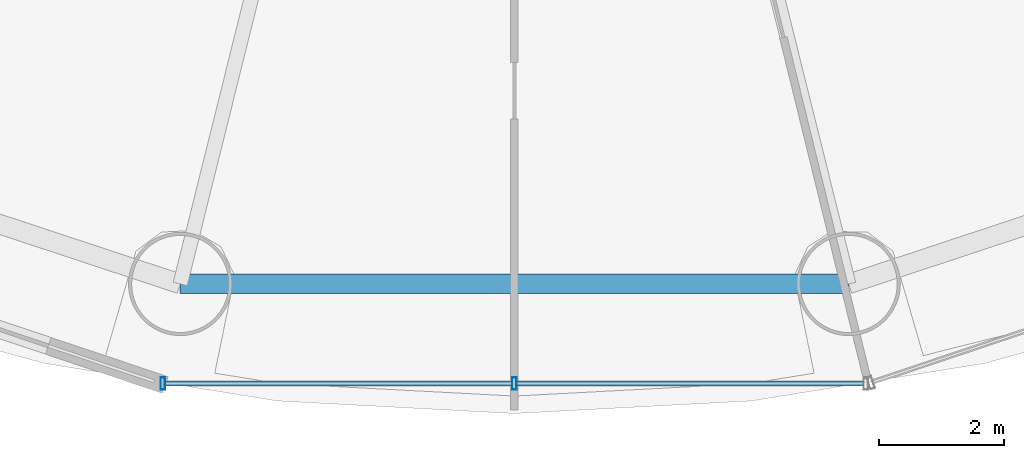
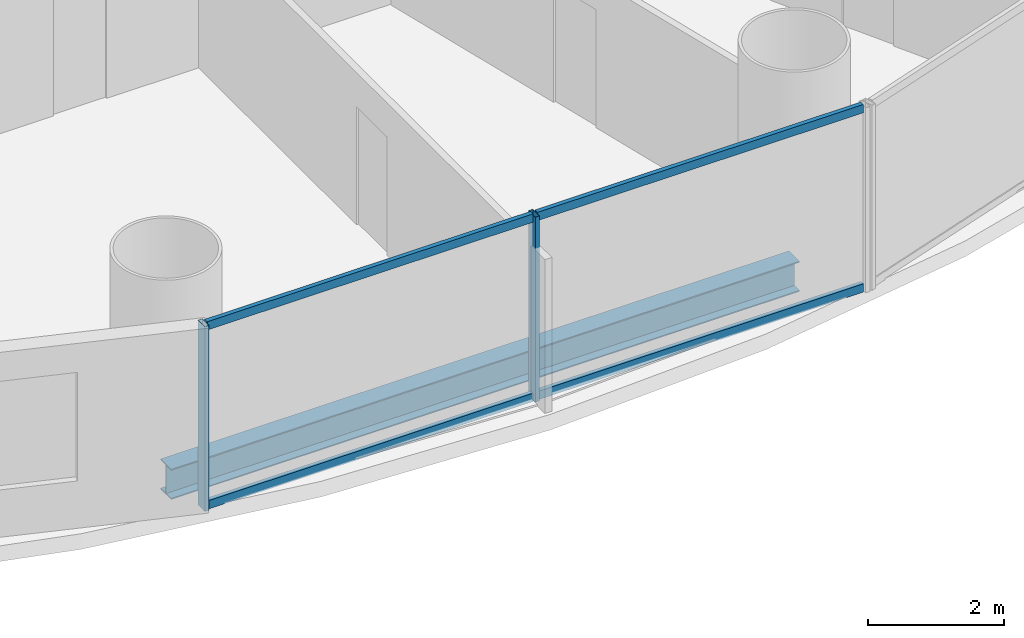
# One storey, part 4 of 29: 6 members, 1 beam, 1 element without a shape of its own.
"""IFC4 building model written with IfcOpenShell, lengths in metres."""

import ifcopenshell
import ifcopenshell.guid

model = None  # the IFC model being written
_history = None  # IfcOwnerHistory: only IFC2X3 demands one
_inside = {}  # id of a spatial element -> (the spatial element, [elements in it])
_under = {}  # id of a project, library or spatial element -> (it, [spatial elements below it])
_declared = {}  # id of a project -> (the project, [libraries it declares])
_typed = {}  # id of a type object -> (the type object, [elements of that type])
_made_of = {}  # id of a material, layer set ... -> (it, [elements and type objects made of it])


def new_model(schema):
    """Start an empty IFC model of exactly this schema.

    Asked for "IFC4X3", IfcOpenShell would pick the latest addendum, in which some entities
    have other attributes; the version numbers below select the first issue.
    IFC2X3 requires an IfcOwnerHistory on every rooted entity: one is made here for all.
    """
    global model, _history
    if schema == "IFC4X3":
        model = ifcopenshell.file(schema_version=(4, 3, 0, 0))
    else:
        model = ifcopenshell.file(schema=schema)
    _inside.clear()
    _under.clear()
    _declared.clear()
    _typed.clear()
    _made_of.clear()
    _history = None
    if model.schema == "IFC2X3":
        org = make("IfcOrganization", Name="unknown")
        user = make(
            "IfcPersonAndOrganization",
            ThePerson=make("IfcPerson", FamilyName="unknown"),
            TheOrganization=org,
        )
        app = make(
            "IfcApplication",
            ApplicationDeveloper=org,
            Version="unknown",
            ApplicationFullName="unknown",
            ApplicationIdentifier="unknown",
        )
        _history = make(
            "IfcOwnerHistory",
            OwningUser=user,
            OwningApplication=app,
            ChangeAction="ADDED",
            CreationDate=0,
        )
    return model


def make(cls, **values):
    """One entity of the class cls with the attributes given. An attribute that is None is left unset."""
    return model.create_entity(
        cls, **{name: value for name, value in values.items() if value is not None}
    )


def rooted(cls, **values):
    """An entity with a GlobalId (a new one), such as an element, a storey or a relation."""
    return make(cls, GlobalId=ifcopenshell.guid.new(), OwnerHistory=_history, **values)


def si_unit(unit_type, name, prefix=None):
    """IfcSIUnit, for example si_unit("LENGTHUNIT", "METRE", prefix="MILLI")."""
    return make("IfcSIUnit", UnitType=unit_type, Prefix=prefix, Name=name)


def assignment(units):
    """IfcUnitAssignment: the units of a project."""
    return None if units is None else make("IfcUnitAssignment", Units=units)


def point(xyz):
    """IfcCartesianPoint."""
    return None if xyz is None else make("IfcCartesianPoint", Coordinates=xyz)


def direction(xyz):
    """IfcDirection."""
    return None if xyz is None else make("IfcDirection", DirectionRatios=xyz)


def frame(location, z_axis=None, x_axis=None):
    """IfcAxis2Placement3D, a coordinate frame: its origin and axes. An axis left out is left unset."""
    return make(
        "IfcAxis2Placement3D",
        Location=point(location),
        Axis=direction(z_axis),
        RefDirection=direction(x_axis),
    )


def frame_2d(location, x_axis=None):
    """IfcAxis2Placement2D, a coordinate frame in the plane: its origin and x axis."""
    return make(
        "IfcAxis2Placement2D", Location=point(location), RefDirection=direction(x_axis)
    )


def origin():
    """The frame at (0, 0, 0) with its axes left unset."""
    return frame((0.0, 0.0, 0.0))


def origin_2d():
    """The frame at (0, 0) in the plane with its x axis left unset."""
    return frame_2d((0.0, 0.0))


def place(relative_to, where):
    """IfcLocalPlacement: puts the frame where relative to a parent placement (None: the world)."""
    return make(
        "IfcLocalPlacement", PlacementRelTo=relative_to, RelativePlacement=where
    )


def context(
    kind, dimensions, precision=None, world=None, true_north=None, identifier=None
):
    """IfcGeometricRepresentationContext, for example the 3D "Model" context."""
    return make(
        "IfcGeometricRepresentationContext",
        ContextIdentifier=identifier,
        ContextType=kind,
        CoordinateSpaceDimension=dimensions,
        Precision=precision,
        WorldCoordinateSystem=world,
        TrueNorth=true_north,
    )


def subcontext(parent, identifier, kind, view, scale=None):
    """IfcGeometricRepresentationSubContext, for example "Body" below "Model"."""
    return make(
        "IfcGeometricRepresentationSubContext",
        ContextIdentifier=identifier,
        ContextType=kind,
        ParentContext=parent,
        TargetScale=scale,
        TargetView=view,
    )


def project(units=None, contexts=None):
    """IfcProject with its units and contexts."""
    return rooted(
        "IfcProject",
        Name="project",
        RepresentationContexts=contexts,
        UnitsInContext=assignment(units),
    )


def spatial(cls, under=None, at=None, **own):
    """A site, building, storey or space (cls), placed at a placement, below another one or the project."""
    s = rooted(cls, ObjectPlacement=at, **own)
    if under is not None:
        _under.setdefault(under.id(), (under, []))[1].append(s)
    return s


def profile(cls, at=None, kind="AREA", **sizes):
    """A parametric profile (cls). Its sizes go by their IFC names, for example OverallWidth=200.0."""
    return make(cls, ProfileType=kind, Position=at, **sizes)


def hollow_rectangle(**sizes):
    """IfcRectangleHollowProfileDef."""
    return profile("IfcRectangleHollowProfileDef", **sizes)


def i_section(**sizes):
    """IfcIShapeProfileDef."""
    return profile("IfcIShapeProfileDef", **sizes)


def extrude(swept, where, along, depth):
    """IfcExtrudedAreaSolid: the profile swept, set in the frame where, extruded along a direction by depth."""
    return make(
        "IfcExtrudedAreaSolid",
        SweptArea=swept,
        Position=where,
        ExtrudedDirection=direction(along),
        Depth=depth,
    )


def shape(context_of_items, identifier, shape_type, items):
    """IfcShapeRepresentation: the items that make up one representation, for example the "Body"."""
    return make(
        "IfcShapeRepresentation",
        ContextOfItems=context_of_items,
        RepresentationIdentifier=identifier,
        RepresentationType=shape_type,
        Items=items,
    )


def source(mapping_origin, context_of_items, identifier, shape_type, items):
    """IfcRepresentationMap: a shape defined once, which mapped items show again and again."""
    return make(
        "IfcRepresentationMap",
        MappingOrigin=mapping_origin,
        MappedRepresentation=shape(context_of_items, identifier, shape_type, items),
    )


def transform(
    local_origin,
    x_axis=None,
    y_axis=None,
    z_axis=None,
    scale=None,
    scale2=None,
    scale3=None,
    uniform=True,
):
    """IfcCartesianTransformationOperator3D, or its non-uniform kind. x_axis, y_axis, z_axis: its Axis1, 2, 3."""
    if uniform:
        return make(
            "IfcCartesianTransformationOperator3D",
            Axis1=direction(x_axis),
            Axis2=direction(y_axis),
            LocalOrigin=point(local_origin),
            Scale=scale,
            Axis3=direction(z_axis),
        )
    return make(
        "IfcCartesianTransformationOperator3DnonUniform",
        Axis1=direction(x_axis),
        Axis2=direction(y_axis),
        LocalOrigin=point(local_origin),
        Scale=scale,
        Axis3=direction(z_axis),
        Scale2=scale2,
        Scale3=scale3,
    )


def mapped(mapping_source, mapping_target):
    """IfcMappedItem: shows the shape of a source again, moved by a transform."""
    return make(
        "IfcMappedItem", MappingSource=mapping_source, MappingTarget=mapping_target
    )


def material(Name=None, Category=None):
    """IfcMaterial."""
    return make("IfcMaterial", Name=Name, Category=Category)


def material_profile(
    of_material, cross_section, Name=None, Category=None, Priority=None
):
    """IfcMaterialProfile: a cross section and its material."""
    return make(
        "IfcMaterialProfile",
        Name=Name,
        Material=of_material,
        Profile=cross_section,
        Priority=Priority,
        Category=Category,
    )


def profile_set(profiles, Name=None, composite=None):
    """IfcMaterialProfileSet."""
    return make(
        "IfcMaterialProfileSet",
        Name=Name,
        MaterialProfiles=profiles,
        CompositeProfile=composite,
    )


def made_of(thing, what):
    """Note that an element or type object is made of a material, layer set ...; save() writes the relation."""
    if what is not None:
        _made_of.setdefault(what.id(), (what, []))[1].append(thing)
    return thing


def type_object(cls, material=None, **own):
    """A type object (cls), such as IfcWallType, which elements share."""
    return made_of(rooted(cls, **own), material)


def element(
    cls,
    number,
    at=None,
    inside=None,
    cuts=None,
    type_object=None,
    material=None,
    context=None,
    identifier="Body",
    shape_type=None,
    held_by="IfcProductDefinitionShape",
    body=None,
    shapes=None,
    **own,
):
    """One element of the class cls, such as IfcWall. Its Tag is "e" and its number.

    at: its placement. inside: the storey or other place that contains it. cuts: it is an
    opening in that element (IfcRelVoidsElement). A single representation is given by context,
    identifier, shape_type and body (its items); several are given by shapes. held_by: the class
    of the entity that holds the representations. save() writes the other relations.
    """
    e = rooted(cls, Tag="e%d" % number, ObjectPlacement=at, **own)
    if body is not None:
        shapes = [shape(context, identifier, shape_type, body)]
    if shapes is not None:
        e.Representation = make(held_by, Representations=shapes)
    if inside is not None:
        _inside.setdefault(inside.id(), (inside, []))[1].append(e)
    if cuts is not None:
        rooted(
            "IfcRelVoidsElement", RelatingBuildingElement=cuts, RelatedOpeningElement=e
        )
    if type_object is not None:
        _typed.setdefault(type_object.id(), (type_object, []))[1].append(e)
    return made_of(e, material)


def aggregate(whole, parts):
    """IfcRelAggregates: a whole, such as a stair, and the parts it consists of."""
    return rooted("IfcRelAggregates", RelatingObject=whole, RelatedObjects=parts)


def save(model, path):
    """Write the relations noted so far, then the file.

    IfcRelAggregates (storeys below a building ...), IfcRelContainedInSpatialStructure (elements
    in a storey), IfcRelDefinesByType, IfcRelAssociatesMaterial and IfcRelDeclares: one each for
    every whole, place, type object, material and project.
    """
    for whole, parts in _under.values():
        aggregate(whole, parts)
    for where, things in _inside.values():
        rooted(
            "IfcRelContainedInSpatialStructure",
            RelatedElements=things,
            RelatingStructure=where,
        )
    for kind, things in _typed.values():
        rooted("IfcRelDefinesByType", RelatedObjects=things, RelatingType=kind)
    for what, things in _made_of.values():
        rooted("IfcRelAssociatesMaterial", RelatedObjects=things, RelatingMaterial=what)
    for by, libraries in _declared.values():
        rooted("IfcRelDeclares", RelatingContext=by, RelatedDefinitions=libraries)
    model.write(path)


model = new_model("IFC4")

# Units and contexts
model_context = context("Model", 3, precision=1e-05, world=origin(), true_north=direction((-0.2419218956, 0.970295726276)))
body_context = subcontext(model_context, "Body", "Model", "MODEL_VIEW")
ifc_project = project(units=[si_unit("LENGTHUNIT", "METRE"), si_unit("AREAUNIT", "SQUARE_METRE"), si_unit("VOLUMEUNIT", "CUBIC_METRE"), si_unit("PLANEANGLEUNIT", "RADIAN"), si_unit("MASSUNIT", "GRAM", prefix="KILO")], contexts=[model_context])

# Site, building, storey
site_placement = place(None, origin())
site = spatial("IfcSite", under=ifc_project, at=site_placement, CompositionType="ELEMENT")
building_placement = place(site_placement, origin())
building = spatial("IfcBuilding", under=site, at=building_placement, Name="Cobrevalo Terracotta Tower", CompositionType="ELEMENT")
storey_placement = place(building_placement, frame((0.0, 0.0, 52.800048828125)))
storey = spatial("IfcBuildingStorey", under=building, at=storey_placement, Name="L13", CompositionType="ELEMENT", Elevation=52.800048828125)

# Beam
ifc_material_1 = material(Name="Steel S355", Category="steel")
ifc_material_profile_1 = material_profile(ifc_material_1, i_section(OverallWidth=0.31201171875, OverallDepth=0.54296875, WebThickness=0.0126953125, FlangeThickness=0.020263671875, at=origin_2d()), Name="W 530x150")
ifc_profile_set_1 = profile_set([ifc_material_profile_1], Name="Steel S355")
beam_type = type_object("IfcBeamType", Name="Structural Spandrel W 530x150 (Steel S355)", PredefinedType="SPANDREL", material=ifc_profile_set_1)
beam_placement = place(storey_placement, frame((32.664306640625, 5.369873046875, -0.551513671875), z_axis=(1.0, 0.0, 0.0), x_axis=(0.0, 1.0, 0.0)))
element("IfcBeam", 1, at=beam_placement, inside=storey, type_object=beam_type, Name="L13 perimeter ring spandrel 12", PredefinedType="SPANDREL", context=body_context, shape_type="SweptSolid", body=[
    extrude(i_section(OverallWidth=0.31201171875, OverallDepth=0.54296875, WebThickness=0.0126953125, FlangeThickness=0.020263671875, at=origin_2d()), origin(), (0.0, 0.0, 1.0), 10.67138671875),
])

# Curtain wall, members
ifc_material_2 = material(Name="Anodized aluminium", Category="aluminium")
curtain_wall_type = type_object("IfcCurtainWallType", Name="Lower-tower unitised acoustic low-E curtain wall CW-U1", PredefinedType="NOTDEFINED", material=ifc_material_2)
curtain_wall_placement = place(storey_placement, origin())
curtain_wall = element("IfcCurtainWall", 2, at=curtain_wall_placement, inside=storey, type_object=curtain_wall_type, Name="L13 curtain wall CW-L13-S12", PredefinedType="NOTDEFINED")
ifc_material_profile_2 = material_profile(ifc_material_2, hollow_rectangle(XDim=0.074951171875, YDim=0.199951171875, WallThickness=0.0048828125, at=origin_2d()), Name="CWM 75x200")
ifc_profile_set_2 = profile_set([ifc_material_profile_2], Name="Anodized aluminium")
member_type_1 = type_object("IfcMemberType", Name="Lower/mid tower unitised mullion 75x200", PredefinedType="MULLION", material=ifc_profile_set_2)
shared_shape_1 = source(origin(), body_context, "Body", "SweptSolid", [
    extrude(hollow_rectangle(XDim=0.074951171875, YDim=0.199951171875, WallThickness=0.0048828125, at=origin_2d()), origin(), (0.0, 0.0, 1.0), 3.320068359375),
])
member_1_placement = place(storey_placement, frame((32.38818359375, 3.781005859375, 0.0), z_axis=(0.0, 0.0, 1.0), x_axis=(1.0, 0.0, 0.0)))
member_1 = element("IfcMember", 3, at=member_1_placement, type_object=member_type_1, Name="CW-L13-S12 vertical mullion 01", PredefinedType="MULLION", context=body_context, shape_type="MappedRepresentation", body=[
    mapped(shared_shape_1, transform((0.0, 0.0, 0.0), scale=1.0)),
])
member_2_placement = place(storey_placement, frame((38.0, 3.781005859375, 0.0), z_axis=(0.0, 0.0, 1.0), x_axis=(1.0, 0.0, 0.0)))
member_2 = element("IfcMember", 4, at=member_2_placement, type_object=member_type_1, Name="CW-L13-S12 vertical mullion 02", PredefinedType="MULLION", context=body_context, shape_type="MappedRepresentation", body=[
    mapped(shared_shape_1, transform((0.0, 0.0, 0.0), scale=1.0)),
])
ifc_material_profile_3 = material_profile(ifc_material_2, hollow_rectangle(XDim=0.074951171875, YDim=0.14990234375, WallThickness=0.00439453125, at=origin_2d()), Name="CWT 75x150")
ifc_profile_set_3 = profile_set([ifc_material_profile_3], Name="Anodized aluminium")
member_type_2 = type_object("IfcMemberType", Name="Tower unitised aluminium transom 75x150", PredefinedType="USERDEFINED", material=ifc_profile_set_3)
shared_shape_2 = source(origin(), body_context, "Body", "SweptSolid", [
    extrude(hollow_rectangle(XDim=0.074951171875, YDim=0.14990234375, WallThickness=0.00439453125, at=origin_2d()), origin(), (0.0, 0.0, 1.0), 5.53173828125),
])
member_3_placement = place(storey_placement, frame((32.42822265625, 3.781005859375, 0.050048828125), z_axis=(1.0, 0.0, 0.0), x_axis=(0.0, 1.0, 0.0)))
member_3 = element("IfcMember", 5, at=member_3_placement, type_object=member_type_2, Name="CW-L13-S12 transom B01-T1", ObjectType="TRANSOM", PredefinedType="USERDEFINED", context=body_context, shape_type="MappedRepresentation", body=[
    mapped(shared_shape_2, transform((0.0, 0.0, 0.0), scale=1.0)),
])
member_4_placement = place(storey_placement, frame((32.42822265625, 3.781005859375, 3.27001953125), z_axis=(1.0, 0.0, 0.0), x_axis=(0.0, 1.0, 0.0)))
member_4 = element("IfcMember", 6, at=member_4_placement, type_object=member_type_2, Name="CW-L13-S12 transom B01-T2", ObjectType="TRANSOM", PredefinedType="USERDEFINED", context=body_context, shape_type="MappedRepresentation", body=[
    mapped(shared_shape_2, transform((0.0, 0.0, 0.0), scale=1.0)),
])
member_5_placement = place(storey_placement, frame((38.0400390625, 3.781005859375, 0.050048828125), z_axis=(1.0, 0.0, 0.0), x_axis=(0.0, 1.0, 0.0)))
member_5 = element("IfcMember", 7, at=member_5_placement, type_object=member_type_2, Name="CW-L13-S12 transom B02-T1", ObjectType="TRANSOM", PredefinedType="USERDEFINED", context=body_context, shape_type="MappedRepresentation", body=[
    mapped(shared_shape_2, transform((0.0, 0.0, 0.0), scale=1.0)),
])
member_6_placement = place(storey_placement, frame((38.0400390625, 3.781005859375, 3.27001953125), z_axis=(1.0, 0.0, 0.0), x_axis=(0.0, 1.0, 0.0)))
member_6 = element("IfcMember", 8, at=member_6_placement, type_object=member_type_2, Name="CW-L13-S12 transom B02-T2", ObjectType="TRANSOM", PredefinedType="USERDEFINED", context=body_context, shape_type="MappedRepresentation", body=[
    mapped(shared_shape_2, transform((0.0, 0.0, 0.0), scale=1.0)),
])
aggregate(curtain_wall, [member_1, member_2, member_3, member_4, member_5, member_6])

save(model, "model.ifc")
